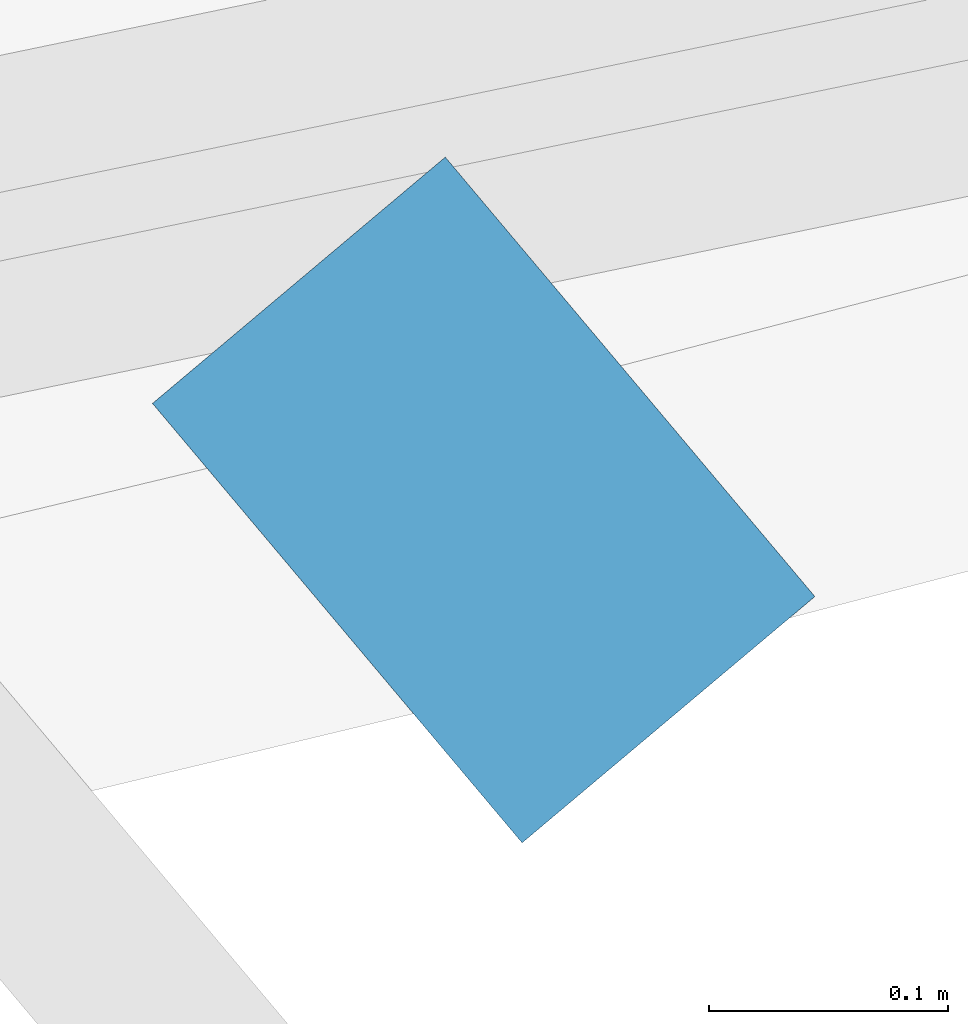
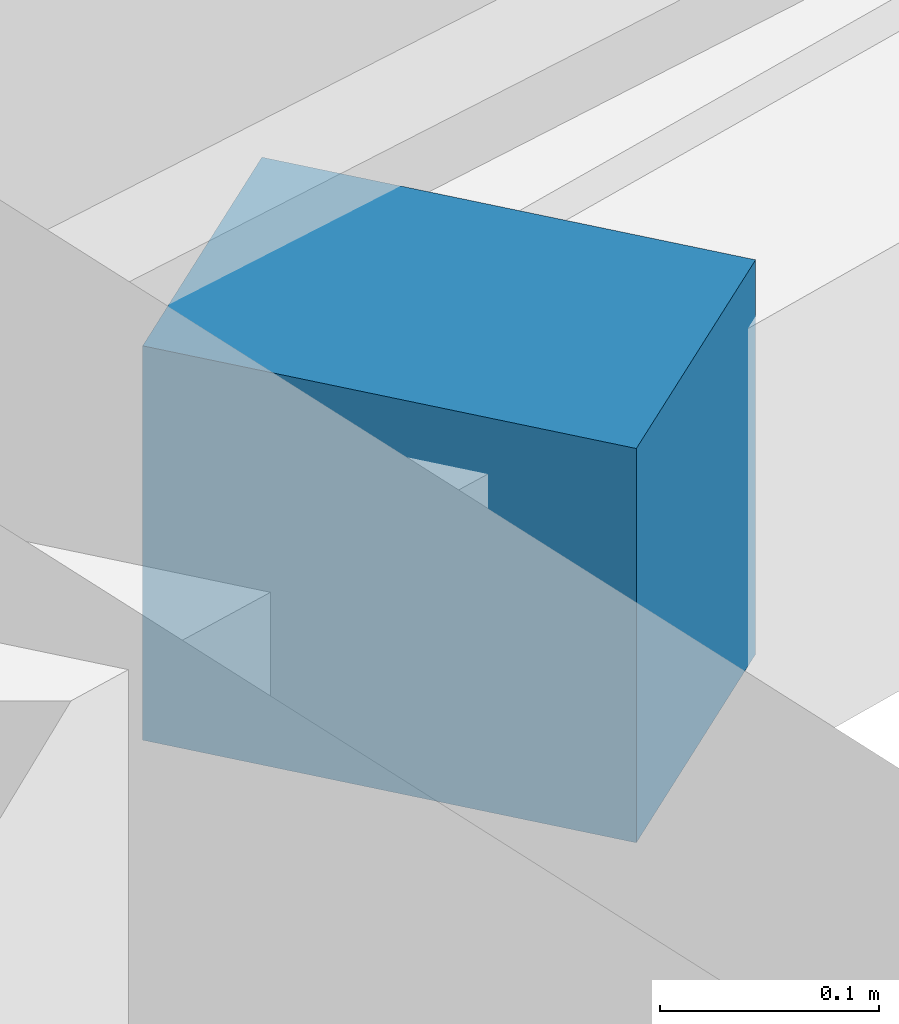
# One storey, part 12 of 18: 1 discrete accessory.
"""IFC4 building model written with IfcOpenShell, lengths in metres."""

from ifc_helpers import new_model, si_unit, direction, frame, origin, origin_2d, place, context, subcontext, project, spatial, rectangle, extrude, material, type_object, element, save


model = new_model("IFC4")

# Units and contexts
model_context = context("Model", 3, precision=1e-05, world=origin(), true_north=direction((0.0, 1.0)))
body_context = subcontext(model_context, "Body", "Model", "MODEL_VIEW")
ifc_project = project(units=[si_unit("LENGTHUNIT", "METRE"), si_unit("AREAUNIT", "SQUARE_METRE"), si_unit("VOLUMEUNIT", "CUBIC_METRE"), si_unit("PLANEANGLEUNIT", "RADIAN"), si_unit("MASSUNIT", "GRAM", prefix="KILO")], contexts=[model_context])

# Site, building, storey
site_placement = place(None, origin())
site = spatial("IfcSite", under=ifc_project, at=site_placement, CompositionType="ELEMENT")
building_placement = place(site_placement, origin())
building = spatial("IfcBuilding", under=site, at=building_placement, Name="Savorim Split Tower", CompositionType="ELEMENT")
storey_placement = place(building_placement, frame((0.0, 0.0, 48.0)))
storey = spatial("IfcBuildingStorey", under=building, at=storey_placement, Name="L12", CompositionType="ELEMENT", Elevation=48.0)

# Discrete accessory
ifc_material = material(Name="Steel S355", Category="steel")
discrete_accessory_type = type_object("IfcDiscreteAccessoryType", Name="ACC-BRK-FIN", PredefinedType="BRACKET", material=ifc_material)
discrete_accessory_placement = place(storey_placement, frame((26.241943359375, -19.881591796875, -0.18994140625), z_axis=(0.0, 0.0, 1.0), x_axis=(0.643719022682, -0.765261928909, 0.0)))
element("IfcDiscreteAccessory", 1, at=discrete_accessory_placement, inside=storey, type_object=discrete_accessory_type, Name="L12 Fin Slab-Edge Cleat Bracket 13", PredefinedType="BRACKET", context=body_context, shape_type="SweptSolid", body=[
    extrude(rectangle(XDim=0.239990234375, YDim=0.159912109375, at=origin_2d()), origin(), (0.0, 0.0, 1.0), 0.219970703125),
])

save(model, "model.ifc")
